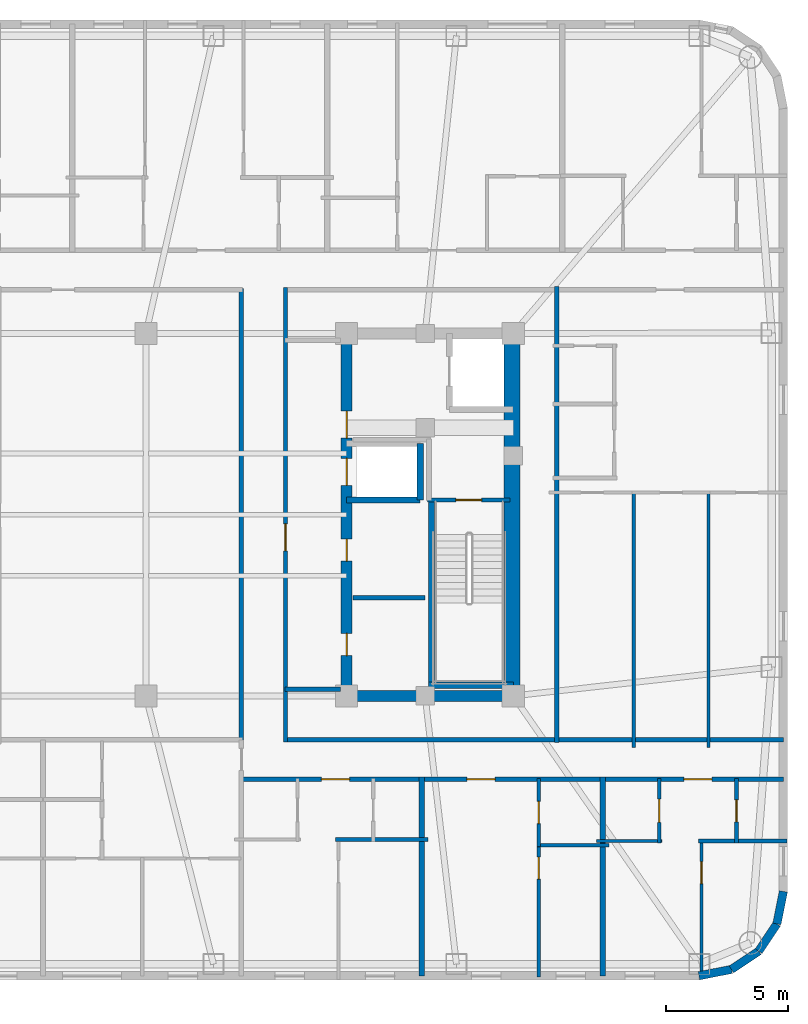
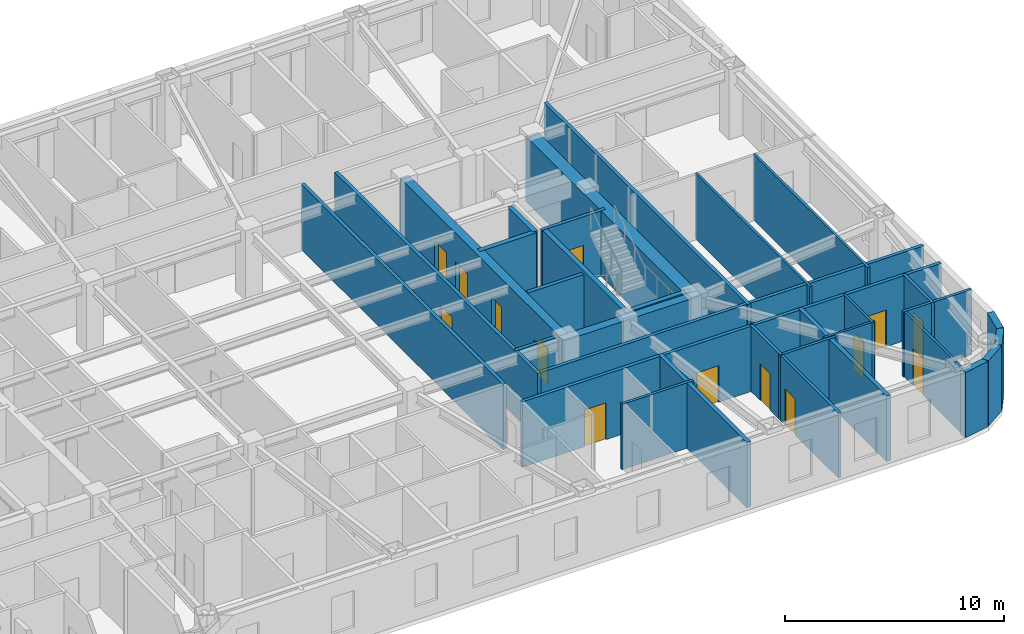
# One storey, part 6 of 11: 32 walls, 14 doors, 14 openings.
"""IFC4 building model written with IfcOpenShell, lengths in metres."""

from ifc_helpers import new_model, si_unit, direction, frame, frame_2d, origin, place, context, subcontext, project, spatial, rectangle, extrude, material, layer, layer_set, type_object, element, fill, save


model = new_model("IFC4")

# Units and contexts
model_context = context("Model", 3, precision=1e-05, world=origin(), true_north=direction((0.0, 1.0)))
body_context = subcontext(model_context, "Body", "Model", "MODEL_VIEW")
ifc_project = project(units=[si_unit("LENGTHUNIT", "METRE"), si_unit("AREAUNIT", "SQUARE_METRE"), si_unit("VOLUMEUNIT", "CUBIC_METRE"), si_unit("PLANEANGLEUNIT", "RADIAN"), si_unit("MASSUNIT", "GRAM", prefix="KILO")], contexts=[model_context])

# Site, building, storey
site_placement = place(None, origin())
site = spatial("IfcSite", under=ifc_project, at=site_placement, CompositionType="ELEMENT")
building_placement = place(site_placement, origin())
building = spatial("IfcBuilding", under=site, at=building_placement, Name="Voryun Gate Residences", CompositionType="ELEMENT")
storey_placement = place(building_placement, frame((0.0, 0.0, 215.800048828125)))
storey = spatial("IfcBuildingStorey", under=building, at=storey_placement, Name="L53", CompositionType="ELEMENT", Elevation=215.800048828125)

# Wall
ifc_material_1 = material(Name="Concrete C50/60", Category="concrete")
ifc_layer_1 = layer(ifc_material_1, 0.449951171875, Name="CW_CORE_450")
ifc_layer_set_1 = layer_set([ifc_layer_1], Name="Concrete C50/60")
wall_type_1 = type_object("IfcWallType", Name="CW_CORE_450", PredefinedType="SHEAR", material=ifc_layer_set_1)
wall_1_placement = place(storey_placement, frame((12.175048828125, -7.39990234375, 0.0), z_axis=(0.0, 0.0, 1.0), x_axis=(1.0, 0.0, 0.0)))
element("IfcWall", 1, at=wall_1_placement, inside=storey, type_object=wall_type_1, Name="L53 Core shear wall CW-L53-ES", PredefinedType="SHEAR", context=body_context, shape_type="SweptSolid", body=[
    extrude(rectangle(XDim=7.25, YDim=0.449951171875, at=frame_2d((3.625, 0.0))), origin(), (0.0, 0.0, 1.0), 3.64990234375),
])

# Wall, openings, doors
wall_2_placement = place(storey_placement, frame((12.39990234375, -7.39990234375, 0.0), z_axis=(0.0, 0.0, 1.0), x_axis=(0.0, 1.0, 0.0)))
wall_2 = element("IfcWall", 2, at=wall_2_placement, inside=storey, type_object=wall_type_1, Name="L53 Core shear wall CW-L53-EW", PredefinedType="SHEAR", context=body_context, shape_type="SweptSolid", body=[
    extrude(rectangle(XDim=14.7998046875, YDim=0.449951171875, at=frame_2d((7.39990234375, 0.0))), origin(), (0.0, 0.0, 1.0), 3.64990234375),
])
opening_1_placement = place(wall_2_placement, frame((8.60009765625, 0.0, 0.0)))
opening_1 = element("IfcOpeningElement", 3, at=opening_1_placement, cuts=wall_2, Name="Opening LD2", PredefinedType="OPENING", context=body_context, shape_type="SweptSolid", body=[
    extrude(rectangle(XDim=1.10009765625, YDim=2.050048828125, at=frame_2d((0.550048828125, 1.02490234375))), frame((0.0, 0.235107421875, 0.0), z_axis=(0.0, -1.0, 0.0), x_axis=(1.0, 0.0, 0.0)), (0.0, 0.0, 1.0), 0.469970703125),
])
opening_2_placement = place(wall_2_placement, frame((10.530029296875, 0.0, 0.0)))
opening_2 = element("IfcOpeningElement", 4, at=opening_2_placement, cuts=wall_2, Name="Opening D-FD60-2", PredefinedType="OPENING", context=body_context, shape_type="SweptSolid", body=[
    extrude(rectangle(XDim=1.10009765625, YDim=2.050048828125, at=frame_2d((0.550048828125, 1.02490234375))), frame((0.0, 0.235107421875, 0.0), z_axis=(0.0, -1.0, 0.0), x_axis=(1.0, 0.0, 0.0)), (0.0, 0.0, 1.0), 0.469970703125),
])
opening_3_placement = place(wall_2_placement, frame((1.64990234375, 0.0, 0.0)))
opening_3 = element("IfcOpeningElement", 5, at=opening_3_placement, cuts=wall_2, Name="Opening D-FD60-4", PredefinedType="OPENING", context=body_context, shape_type="SweptSolid", body=[
    extrude(rectangle(XDim=0.89990234375, YDim=2.050048828125, at=frame_2d((0.449951171875, 1.02490234375))), frame((0.0, 0.235107421875, 0.0), z_axis=(0.0, -1.0, 0.0), x_axis=(1.0, 0.0, 0.0)), (0.0, 0.0, 1.0), 0.469970703125),
])
opening_4_placement = place(wall_2_placement, frame((5.5, 0.0, 0.0)))
opening_4 = element("IfcOpeningElement", 6, at=opening_4_placement, cuts=wall_2, Name="Opening D-FD60-4", PredefinedType="OPENING", context=body_context, shape_type="SweptSolid", body=[
    extrude(rectangle(XDim=0.89990234375, YDim=2.050048828125, at=frame_2d((0.449951171875, 1.02490234375))), frame((0.0, 0.235107421875, 0.0), z_axis=(0.0, -1.0, 0.0), x_axis=(1.0, 0.0, 0.0)), (0.0, 0.0, 1.0), 0.469970703125),
])
ifc_material_2 = material(Name="Painted steel fire door", Category="steel")
door_type_1 = type_object("IfcDoorType", Name="DR_FD60_FFLOB_1100", OperationType="NOTDEFINED", PredefinedType="DOOR", material=ifc_material_2)
door_1_placement = place(opening_2_placement, origin())
door_1 = element("IfcDoor", 7, at=door_1_placement, inside=storey, type_object=door_type_1, Name="Door DR-L53-CLOB-E", OperationType="SINGLE_SWING_RIGHT", OverallHeight=2.050048828125, OverallWidth=1.10009765625, PredefinedType="DOOR", context=body_context, shape_type="SweptSolid", body=[
    extrude(rectangle(XDim=1.10009765625, YDim=2.050048828125, at=frame_2d((0.550048828125, 1.02490234375))), frame((0.0, 0.02490234375, 0.0), z_axis=(0.0, -1.0, 0.0), x_axis=(1.0, 0.0, 0.0)), (0.0, 0.0, 1.0), 0.050048828125),
])
fill(opening_2, door_1)
ifc_material_3 = material(Name="Painted steel fire door", Category="steel")
door_type_2 = type_object("IfcDoorType", Name="DR_FD60_RISER_900", OperationType="NOTDEFINED", PredefinedType="DOOR", material=ifc_material_3)
door_2_placement = place(opening_3_placement, origin())
door_2 = element("IfcDoor", 8, at=door_2_placement, inside=storey, type_object=door_type_2, Name="Door DR-L53-RECE-HIS", OperationType="SINGLE_SWING_RIGHT", OverallHeight=2.050048828125, OverallWidth=0.89990234375, PredefinedType="DOOR", context=body_context, shape_type="SweptSolid", body=[
    extrude(rectangle(XDim=0.89990234375, YDim=2.050048828125, at=frame_2d((0.449951171875, 1.02490234375))), frame((0.0, 0.02490234375, 0.0), z_axis=(0.0, -1.0, 0.0), x_axis=(1.0, 0.0, 0.0)), (0.0, 0.0, 1.0), 0.050048828125),
])
fill(opening_3, door_2)
door_3_placement = place(opening_4_placement, origin())
door_3 = element("IfcDoor", 9, at=door_3_placement, inside=storey, type_object=door_type_2, Name="Door DR-L53-RECE-HIN", OperationType="SINGLE_SWING_LEFT", OverallHeight=2.050048828125, OverallWidth=0.89990234375, PredefinedType="DOOR", context=body_context, shape_type="SweptSolid", body=[
    extrude(rectangle(XDim=0.89990234375, YDim=2.050048828125, at=frame_2d((0.449951171875, 1.02490234375))), frame((0.0, 0.02490234375, 0.0), z_axis=(0.0, -1.0, 0.0), x_axis=(1.0, 0.0, 0.0)), (0.0, 0.0, 1.0), 0.050048828125),
])
fill(opening_4, door_3)
ifc_material_4 = material(Name="Anodised aluminium", Category="aluminium")
door_type_3 = type_object("IfcDoorType", Name="DR_LD_PASS_1100", OperationType="NOTDEFINED", PredefinedType="DOOR", material=ifc_material_4)
door_4_placement = place(opening_1_placement, origin())
door_4 = element("IfcDoor", 10, at=door_4_placement, inside=storey, type_object=door_type_3, Name="Lift EL-P8 sliding landing door L53", OperationType="SLIDING_TO_LEFT", OverallHeight=2.050048828125, OverallWidth=1.10009765625, PredefinedType="DOOR", context=body_context, shape_type="SweptSolid", body=[
    extrude(rectangle(XDim=1.10009765625, YDim=2.050048828125, at=frame_2d((0.550048828125, 1.02490234375))), frame((0.0, 0.02490234375, 0.0), z_axis=(0.0, -1.0, 0.0), x_axis=(1.0, 0.0, 0.0)), (0.0, 0.0, 1.0), 0.050048828125),
])
fill(opening_1, door_4)

# Wall
ifc_material_5 = material(Name="Concrete C60/75", Category="concrete")
ifc_layer_2 = layer(ifc_material_5, 0.64990234375, Name="CW_CORE_650")
ifc_layer_set_2 = layer_set([ifc_layer_2], Name="Concrete C60/75")
wall_type_2 = type_object("IfcWallType", Name="CW_CORE_650", PredefinedType="SHEAR", material=ifc_layer_set_2)
wall_3_placement = place(storey_placement, frame((19.14501953125, -7.39990234375, 0.0), z_axis=(0.0, 0.0, 1.0), x_axis=(0.0, 1.0, 0.0)))
element("IfcWall", 11, at=wall_3_placement, inside=storey, type_object=wall_type_2, Name="L53 Core shear wall CW-L53-EE", PredefinedType="SHEAR", context=body_context, shape_type="SweptSolid", body=[
    extrude(rectangle(XDim=14.7998046875, YDim=0.64990234375, at=frame_2d((7.39990234375, 0.0))), origin(), (0.0, 0.0, 1.0), 3.64990234375),
])

# Wall, opening, door
ifc_material_6 = material(Name="Gypsum acoustic fireboard")
ifc_layer_3 = layer(ifc_material_6, 0.179931640625, Name="W_CORR_RATED_180")
ifc_layer_set_3 = layer_set([ifc_layer_3], Name="Gypsum acoustic fireboard")
wall_type_3 = type_object("IfcWallType", Name="W_CORR_RATED_180", PredefinedType="PARTITIONING", material=ifc_layer_set_3)
wall_4_placement = place(storey_placement, frame((15.699951171875, 0.60009765625, 0.0), z_axis=(0.0, 0.0, 1.0), x_axis=(1.0, 0.0, 0.0)))
wall_4 = element("IfcWall", 12, at=wall_4_placement, inside=storey, type_object=wall_type_3, Name="Partition wall WP-L53-STV-E", PredefinedType="PARTITIONING", context=body_context, shape_type="SweptSolid", body=[
    extrude(rectangle(XDim=3.360107421875, YDim=0.179931640625, at=frame_2d((1.68017578125, 0.0))), origin(), (0.0, 0.0, 1.0), 3.64990234375),
])
opening_5_placement = place(wall_4_placement, frame((1.155029296875, 0.0, 0.0)))
opening_5 = element("IfcOpeningElement", 13, at=opening_5_placement, cuts=wall_4, Name="Opening D-FD60-1", PredefinedType="OPENING", context=body_context, shape_type="SweptSolid", body=[
    extrude(rectangle(XDim=1.050048828125, YDim=2.050048828125, at=frame_2d((0.52490234375, 1.02490234375))), frame((0.0, 0.099853515625, 0.0), z_axis=(0.0, -1.0, 0.0), x_axis=(1.0, 0.0, 0.0)), (0.0, 0.0, 1.0), 0.199951171875),
])
ifc_material_7 = material(Name="Painted steel fire door", Category="steel")
door_type_4 = type_object("IfcDoorType", Name="DR_FD60_STAIR_1050", OperationType="NOTDEFINED", PredefinedType="DOOR", material=ifc_material_7)
door_5_placement = place(opening_5_placement, origin())
door_5 = element("IfcDoor", 14, at=door_5_placement, inside=storey, type_object=door_type_4, Name="Door DR-L53-ST-E", OperationType="SINGLE_SWING_RIGHT", OverallHeight=2.050048828125, OverallWidth=1.050048828125, PredefinedType="DOOR", context=body_context, shape_type="SweptSolid", body=[
    extrude(rectangle(XDim=1.050048828125, YDim=2.050048828125, at=frame_2d((0.52490234375, 1.02490234375))), frame((0.0, 0.02490234375, 0.0), z_axis=(0.0, -1.0, 0.0), x_axis=(1.0, 0.0, 0.0)), (0.0, 0.0, 1.0), 0.050048828125),
])
fill(opening_5, door_5)

# Wall
wall_5_placement = place(storey_placement, frame((9.8798828125, -7.1201171875, 0.0), z_axis=(0.0, 0.0, 1.0), x_axis=(1.0, 0.0, 0.0)))
element("IfcWall", 15, at=wall_5_placement, inside=storey, type_object=wall_type_3, Name="Partition wall WP-L53-PLBS-E", PredefinedType="PARTITIONING", context=body_context, shape_type="SweptSolid", body=[
    extrude(rectangle(XDim=2.27001953125, YDim=0.179931640625, at=frame_2d((1.135009765625, 0.0))), origin(), (0.0, 0.0, 1.0), 3.64990234375),
])

# Wall, opening, door
wall_6_placement = place(storey_placement, frame((9.89990234375, -9.280029296875, 0.0), z_axis=(0.0, 0.0, 1.0), x_axis=(0.0, 1.0, 0.0)))
wall_6 = element("IfcWall", 16, at=wall_6_placement, inside=storey, type_object=wall_type_3, Name="Partition wall WP-L53-PLBE-FULL", PredefinedType="PARTITIONING", context=body_context, shape_type="SweptSolid", body=[
    extrude(rectangle(XDim=18.56005859375, YDim=0.179931640625, at=frame_2d((9.280029296875, 0.0))), origin(), (0.0, 0.0, 1.0), 3.64990234375),
])
opening_6_placement = place(wall_6_placement, frame((7.802001953125, 0.0, 0.0)))
opening_6 = element("IfcOpeningElement", 17, at=opening_6_placement, cuts=wall_6, Name="Opening D-FD60-2", PredefinedType="OPENING", context=body_context, shape_type="SweptSolid", body=[
    extrude(rectangle(XDim=1.10009765625, YDim=2.050048828125, at=frame_2d((0.550048828125, 1.02490234375))), frame((0.0, 0.099853515625, 0.0), z_axis=(0.0, -1.0, 0.0), x_axis=(1.0, 0.0, 0.0)), (0.0, 0.0, 1.0), 0.199951171875),
])
door_6_placement = place(opening_6_placement, origin())
door_6 = element("IfcDoor", 18, at=door_6_placement, inside=storey, type_object=door_type_1, Name="Door DR-L53-PLBE-COR", OperationType="SINGLE_SWING_RIGHT", OverallHeight=2.050048828125, OverallWidth=1.10009765625, PredefinedType="DOOR", context=body_context, shape_type="SweptSolid", body=[
    extrude(rectangle(XDim=1.10009765625, YDim=2.050048828125, at=frame_2d((0.550048828125, 1.02490234375))), frame((0.0, 0.02490234375, 0.0), z_axis=(0.0, -1.0, 0.0), x_axis=(1.0, 0.0, 0.0)), (0.0, 0.0, 1.0), 0.050048828125),
])
fill(opening_6, door_6)

# Walls
wall_7_placement = place(storey_placement, frame((9.8798828125, -9.18994140625, 0.0), z_axis=(0.0, 0.0, 1.0), x_axis=(1.0, 0.0, 0.0)))
element("IfcWall", 19, at=wall_7_placement, inside=storey, type_object=wall_type_3, Name="Partition wall WP-L53-CWING-ES", PredefinedType="PARTITIONING", context=body_context, shape_type="SweptSolid", body=[
    extrude(rectangle(XDim=20.35009765625, YDim=0.179931640625, at=frame_2d((10.175048828125, 0.0))), origin(), (0.0, 0.0, 1.0), 3.64990234375),
])
wall_8_placement = place(storey_placement, frame((8.10009765625, -9.22998046875, 0.0), z_axis=(0.0, 0.0, 1.0), x_axis=(0.0, 1.0, 0.0)))
element("IfcWall", 20, at=wall_8_placement, inside=storey, type_object=wall_type_3, Name="Partition wall WP-L53-Z3E", PredefinedType="PARTITIONING", context=body_context, shape_type="SweptSolid", body=[
    extrude(rectangle(XDim=18.4599609375, YDim=0.179931640625, at=frame_2d((9.22998046875, 0.0))), origin(), (0.0, 0.0, 1.0), 3.64990234375),
])

# Wall, openings, doors
wall_9_placement = place(storey_placement, frame((8.080078125, -10.800048828125, 0.0), z_axis=(0.0, 0.0, 1.0), x_axis=(1.0, 0.0, 0.0)))
wall_9 = element("IfcWall", 21, at=wall_9_placement, inside=storey, type_object=wall_type_3, Name="Partition wall WP-L53-SCORR-E", PredefinedType="PARTITIONING", context=body_context, shape_type="SweptSolid", body=[
    extrude(rectangle(XDim=22.14990234375, YDim=0.179931640625, at=frame_2d((11.074951171875, 0.0))), origin(), (0.0, 0.0, 1.0), 3.64990234375),
])
opening_7_placement = place(wall_9_placement, frame((3.283447265625, 0.0, 0.0)))
opening_7 = element("IfcOpeningElement", 22, at=opening_7_placement, cuts=wall_9, Name="Opening D-UNIT-1", PredefinedType="OPENING", context=body_context, shape_type="SweptSolid", body=[
    extrude(rectangle(XDim=1.14990234375, YDim=2.050048828125, at=frame_2d((0.574951171875, 1.02490234375))), frame((0.0, 0.099853515625, 0.0), z_axis=(0.0, -1.0, 0.0), x_axis=(1.0, 0.0, 0.0)), (0.0, 0.0, 1.0), 0.199951171875),
])
opening_8_placement = place(wall_9_placement, frame((9.228515625, 0.0, 0.0)))
opening_8 = element("IfcOpeningElement", 23, at=opening_8_placement, cuts=wall_9, Name="Opening D-UNIT-1", PredefinedType="OPENING", context=body_context, shape_type="SweptSolid", body=[
    extrude(rectangle(XDim=1.14990234375, YDim=2.050048828125, at=frame_2d((0.574951171875, 1.02490234375))), frame((0.0, 0.099853515625, 0.0), z_axis=(0.0, -1.0, 0.0), x_axis=(1.0, 0.0, 0.0)), (0.0, 0.0, 1.0), 0.199951171875),
])
opening_9_placement = place(wall_9_placement, frame((18.084228515625, 0.0, 0.0)))
opening_9 = element("IfcOpeningElement", 24, at=opening_9_placement, cuts=wall_9, Name="Opening D-UNIT-1", PredefinedType="OPENING", context=body_context, shape_type="SweptSolid", body=[
    extrude(rectangle(XDim=1.14990234375, YDim=2.050048828125, at=frame_2d((0.574951171875, 1.02490234375))), frame((0.0, 0.099853515625, 0.0), z_axis=(0.0, -1.0, 0.0), x_axis=(1.0, 0.0, 0.0)), (0.0, 0.0, 1.0), 0.199951171875),
])
ifc_material_8 = material(Name="Armoured timber-clad fire door", Category="wood")
door_type_5 = type_object("IfcDoorType", Name="DR_UNIT_ENTRY_1150", OperationType="NOTDEFINED", PredefinedType="DOOR", material=ifc_material_8)
door_7_placement = place(opening_7_placement, origin())
door_7 = element("IfcDoor", 25, at=door_7_placement, inside=storey, type_object=door_type_5, Name="Door DR-L53-SENT-5", OperationType="SINGLE_SWING_RIGHT", OverallHeight=2.050048828125, OverallWidth=1.14990234375, PredefinedType="DOOR", context=body_context, shape_type="SweptSolid", body=[
    extrude(rectangle(XDim=1.14990234375, YDim=2.050048828125, at=frame_2d((0.574951171875, 1.02490234375))), frame((0.0, 0.02490234375, 0.0), z_axis=(0.0, -1.0, 0.0), x_axis=(1.0, 0.0, 0.0)), (0.0, 0.0, 1.0), 0.050048828125),
])
fill(opening_7, door_7)
door_8_placement = place(opening_8_placement, origin())
door_8 = element("IfcDoor", 26, at=door_8_placement, inside=storey, type_object=door_type_5, Name="Door DR-L53-SENT-6", OperationType="SINGLE_SWING_LEFT", OverallHeight=2.050048828125, OverallWidth=1.14990234375, PredefinedType="DOOR", context=body_context, shape_type="SweptSolid", body=[
    extrude(rectangle(XDim=1.14990234375, YDim=2.050048828125, at=frame_2d((0.574951171875, 1.02490234375))), frame((0.0, 0.02490234375, 0.0), z_axis=(0.0, -1.0, 0.0), x_axis=(1.0, 0.0, 0.0)), (0.0, 0.0, 1.0), 0.050048828125),
])
fill(opening_8, door_8)
door_9_placement = place(opening_9_placement, origin())
door_9 = element("IfcDoor", 27, at=door_9_placement, inside=storey, type_object=door_type_5, Name="Door DR-L53-SENT-7", OperationType="SINGLE_SWING_RIGHT", OverallHeight=2.050048828125, OverallWidth=1.14990234375, PredefinedType="DOOR", context=body_context, shape_type="SweptSolid", body=[
    extrude(rectangle(XDim=1.14990234375, YDim=2.050048828125, at=frame_2d((0.574951171875, 1.02490234375))), frame((0.0, 0.02490234375, 0.0), z_axis=(0.0, -1.0, 0.0), x_axis=(1.0, 0.0, 0.0)), (0.0, 0.0, 1.0), 0.050048828125),
])
fill(opening_9, door_9)

# Walls
wall_10_placement = place(storey_placement, frame((20.969970703125, -9.31005859375, 0.0), z_axis=(0.0, 0.0, 1.0), x_axis=(0.0, 1.0, 0.0)))
element("IfcWall", 28, at=wall_10_placement, inside=storey, type_object=wall_type_3, Name="Partition wall WP-L53-ECOR", PredefinedType="PARTITIONING", context=body_context, shape_type="SweptSolid", body=[
    extrude(rectangle(XDim=18.6201171875, YDim=0.179931640625, at=frame_2d((9.31005859375, 0.0))), origin(), (0.0, 0.0, 1.0), 3.64990234375),
])
ifc_material_9 = material(Name="Charcoal terracotta masonry", Category="masonry")
ifc_layer_4 = layer(ifc_material_9, 0.340087890625, Name="W_EXT_TERRACOTTA_340")
ifc_layer_set_4 = layer_set([ifc_layer_4], Name="Charcoal terracotta masonry")
wall_type_4 = type_object("IfcWallType", Name="W_EXT_TERRACOTTA_340", PredefinedType="ELEMENTEDWALL", material=ifc_layer_set_4)
wall_11_placement = place(storey_placement, frame((30.22998046875, -15.38330078125, 0.0), z_axis=(0.0, 0.0, 1.0), x_axis=(-0.195110379894, -0.98078129043, 0.0)))
element("IfcWall", 29, at=wall_11_placement, inside=storey, type_object=wall_type_4, Name="Exterior wall WEXT-L53-17", PredefinedType="ELEMENTEDWALL", context=body_context, shape_type="SweptSolid", body=[
    extrude(rectangle(XDim=1.35400390625, YDim=0.340087890625, at=frame_2d((0.677001953125, 0.0))), origin(), (0.0, 0.0, 1.0), 3.64990234375),
])
wall_12_placement = place(storey_placement, frame((29.9658203125, -16.711181640625, 0.0), z_axis=(0.0, 0.0, 1.0), x_axis=(-0.555584683399, -0.831459956686, 0.0)))
element("IfcWall", 30, at=wall_12_placement, inside=storey, type_object=wall_type_4, Name="Exterior wall WEXT-L53-18", PredefinedType="ELEMENTEDWALL", context=body_context, shape_type="SweptSolid", body=[
    extrude(rectangle(XDim=1.337158203125, YDim=0.340087890625, at=frame_2d((0.66845703125, 0.0))), origin(), (0.0, 0.0, 1.0), 3.64990234375),
])
wall_13_placement = place(storey_placement, frame((29.222900390625, -17.822998046875, 0.0), z_axis=(0.0, 0.0, 1.0), x_axis=(-0.831403586725, -0.555669034571, 0.0)))
element("IfcWall", 31, at=wall_13_placement, inside=storey, type_object=wall_type_4, Name="Exterior wall WEXT-L53-19", PredefinedType="ELEMENTEDWALL", context=body_context, shape_type="SweptSolid", body=[
    extrude(rectangle(XDim=1.3369140625, YDim=0.340087890625, at=frame_2d((0.66845703125, 0.0))), origin(), (0.0, 0.0, 1.0), 3.64990234375),
])
wall_14_placement = place(storey_placement, frame((28.111328125, -18.56591796875, 0.0), z_axis=(0.0, 0.0, 1.0), x_axis=(-0.980788153188, -0.195075878998, 0.0)))
element("IfcWall", 32, at=wall_14_placement, inside=storey, type_object=wall_type_4, Name="Exterior wall WEXT-L53-20", PredefinedType="ELEMENTEDWALL", context=body_context, shape_type="SweptSolid", body=[
    extrude(rectangle(XDim=1.354248046875, YDim=0.340087890625, at=frame_2d((0.67724609375, 0.0))), origin(), (0.0, 0.0, 1.0), 3.64990234375),
])
ifc_material_10 = material(Name="Concrete C40/50", Category="concrete")
ifc_layer_5 = layer(ifc_material_10, 0.199951171875, Name="W_FF_LOBBY_200")
ifc_layer_set_5 = layer_set([ifc_layer_5], Name="Concrete C40/50")
wall_type_5 = type_object("IfcWallType", Name="W_FF_LOBBY_200", PredefinedType="PARTITIONING", material=ifc_layer_set_5)
wall_15_placement = place(storey_placement, frame((12.659912109375, -3.389892578125, 0.0), z_axis=(0.0, 0.0, 1.0), x_axis=(1.0, 0.0, 0.0)))
element("IfcWall", 33, at=wall_15_placement, inside=storey, type_object=wall_type_5, Name="Partition wall WP-L53-RECEY-HI", PredefinedType="PARTITIONING", context=body_context, shape_type="SweptSolid", body=[
    extrude(rectangle(XDim=2.940185546875, YDim=0.199951171875, at=frame_2d((1.47021484375, 0.0))), origin(), (0.0, 0.0, 1.0), 3.64990234375),
])
ifc_material_11 = material(Name="Concrete C40/50", Category="concrete")
ifc_layer_6 = layer(ifc_material_11, 0.219970703125, Name="W_PARTY_ACOUSTIC_220")
ifc_layer_set_6 = layer_set([ifc_layer_6], Name="Concrete C40/50")
wall_type_6 = type_object("IfcWallType", Name="W_PARTY_ACOUSTIC_220", PredefinedType="PARTITIONING", material=ifc_layer_set_6)
for number, where, z_axis, x_axis, name in (
    (34, (15.466064453125, -18.830078125, 0.0), (0.0, 0.0, 1.0), (0.0, 1.0, 0.0), "Partition wall WP-L53-SPTY-5"),
    (35, (22.85107421875, -18.830078125, 0.0), (0.0, 0.0, 1.0), (0.0, 1.0, 0.0), "Partition wall WP-L53-SPTY-6"),
):
    element("IfcWall", number, at=place(storey_placement, frame(where, z_axis=z_axis, x_axis=x_axis)), inside=storey, type_object=wall_type_6, Name=name, PredefinedType="PARTITIONING", context=body_context, shape_type="SweptSolid", body=[
        extrude(rectangle(XDim=8.110107421875, YDim=0.219970703125, at=frame_2d((4.05517578125, 0.0))), origin(), (0.0, 0.0, 1.0), 3.64990234375),
    ])
ifc_material_12 = material(Name="Concrete C50/60", Category="concrete")
ifc_layer_7 = layer(ifc_material_12, 0.25, Name="W_SHAFT_RC250")
ifc_layer_set_7 = layer_set([ifc_layer_7], Name="Concrete C50/60")
wall_type_7 = type_object("IfcWallType", Name="W_SHAFT_RC250", PredefinedType="SOLIDWALL", material=ifc_layer_set_7)
wall_16_placement = place(storey_placement, frame((15.860107421875, -7.0849609375, 0.0), z_axis=(0.0, 0.0, 1.0), x_axis=(0.0, 1.0, 0.0)))
element("IfcWall", 36, at=wall_16_placement, inside=storey, type_object=wall_type_7, Name="L53 Stair shaft structural wall E-STL", PredefinedType="SOLIDWALL", context=body_context, shape_type="SweptSolid", body=[
    extrude(rectangle(XDim=7.68505859375, YDim=0.25, at=frame_2d((3.842529296875, 0.0))), origin(), (0.0, 0.0, 1.0), 3.64990234375),
])
wall_17_placement = place(storey_placement, frame((15.739990234375, -6.965087890625, 0.0), z_axis=(0.0, 0.0, 1.0), x_axis=(1.0, 0.0, 0.0)))
element("IfcWall", 37, at=wall_17_placement, inside=storey, type_object=wall_type_7, Name="L53 Stair shaft structural wall E-STS", PredefinedType="SOLIDWALL", context=body_context, shape_type="SweptSolid", body=[
    extrude(rectangle(XDim=3.4599609375, YDim=0.25, at=frame_2d((1.72998046875, 0.0))), origin(), (0.0, 0.0, 1.0), 3.64990234375),
])
wall_18_placement = place(storey_placement, frame((12.39990234375, 0.60009765625, 0.0), z_axis=(0.0, 0.0, 1.0), x_axis=(1.0, 0.0, 0.0)))
element("IfcWall", 38, at=wall_18_placement, inside=storey, type_object=wall_type_7, Name="Lift shaft wall WSH-L53-EL-P8-S", PredefinedType="SOLIDWALL", context=body_context, shape_type="SweptSolid", body=[
    extrude(rectangle(XDim=3.0, YDim=0.25, at=frame_2d((1.5, 0.0))), origin(), (0.0, 0.0, 1.0), 3.64990234375),
])
wall_19_placement = place(storey_placement, frame((15.39990234375, 0.60009765625, 0.0), z_axis=(0.0, 0.0, 1.0), x_axis=(0.0, 1.0, 0.0)))
element("IfcWall", 39, at=wall_19_placement, inside=storey, type_object=wall_type_7, Name="Lift shaft wall WSH-L53-EL-P8-E", PredefinedType="SOLIDWALL", context=body_context, shape_type="SweptSolid", body=[
    extrude(rectangle(XDim=2.2998046875, YDim=0.25, at=frame_2d((1.14990234375, 0.0))), origin(), (0.0, 0.0, 1.0), 3.64990234375),
])

# Wall, opening, door
ifc_material_13 = material(Name="Gypsum acoustic partition")
ifc_layer_8 = layer(ifc_material_13, 0.125, Name="W_UNIT_PART_125")
ifc_layer_set_8 = layer_set([ifc_layer_8], Name="Gypsum acoustic partition")
wall_type_8 = type_object("IfcWallType", Name="W_UNIT_PART_125", PredefinedType="PARTITIONING", material=ifc_layer_set_8)
wall_20_placement = place(storey_placement, frame((26.886962890625, -18.96240234375, 0.0), z_axis=(0.0, 0.0, 1.0), x_axis=(0.0, 1.0, 0.0)))
wall_20 = element("IfcWall", 40, at=wall_20_placement, inside=storey, type_object=wall_type_8, Name="Partition wall WP-L53-S7-OVR", PredefinedType="PARTITIONING", context=body_context, shape_type="SweptSolid", body=[
    extrude(rectangle(XDim=5.71728515625, YDim=0.125, at=frame_2d((2.858642578125, 0.0))), origin(), (0.0, 0.0, 1.0), 3.64990234375),
])
opening_10_placement = place(wall_20_placement, frame((3.89501953125, 0.0, 0.0)))
opening_10 = element("IfcOpeningElement", 41, at=opening_10_placement, cuts=wall_20, Name="Opening D-INT-2", PredefinedType="OPENING", context=body_context, shape_type="SweptSolid", body=[
    extrude(rectangle(XDim=0.89990234375, YDim=2.050048828125, at=frame_2d((0.449951171875, 1.02490234375))), frame((0.0, 0.072509765625, 0.0), z_axis=(0.0, -1.0, 0.0), x_axis=(1.0, 0.0, 0.0)), (0.0, 0.0, 1.0), 0.14501953125),
])
ifc_material_14 = material(Name="Architectural oak veneer")
door_type_6 = type_object("IfcDoorType", Name="DR_INT_BATH_900", OperationType="NOTDEFINED", PredefinedType="DOOR", material=ifc_material_14)
door_10_placement = place(opening_10_placement, origin())
door_10 = element("IfcDoor", 42, at=door_10_placement, inside=storey, type_object=door_type_6, Name="Door DR-L53-S7-DMB", OperationType="SINGLE_SWING_RIGHT", OverallHeight=2.050048828125, OverallWidth=0.89990234375, PredefinedType="DOOR", context=body_context, shape_type="SweptSolid", body=[
    extrude(rectangle(XDim=0.89990234375, YDim=2.050048828125, at=frame_2d((0.449951171875, 1.02490234375))), frame((0.0, 0.02490234375, 0.0), z_axis=(0.0, -1.0, 0.0), x_axis=(1.0, 0.0, 0.0)), (0.0, 0.0, 1.0), 0.050048828125),
])
fill(opening_10, door_10)

wall_21_placement = place(storey_placement, frame((25.160888671875, -13.405029296875, 0.0), z_axis=(0.0, 0.0, 1.0), x_axis=(0.0, 1.0, 0.0)))
wall_21 = element("IfcWall", 43, at=wall_21_placement, inside=storey, type_object=wall_type_8, Name="Partition wall WP-L53-S7-IVK", PredefinedType="PARTITIONING", context=body_context, shape_type="SweptSolid", body=[
    extrude(rectangle(XDim=2.625, YDim=0.125, at=frame_2d((1.3125, 0.0))), origin(), (0.0, 0.0, 1.0), 3.64990234375),
])
opening_11_placement = place(wall_21_placement, frame((0.83740234375, 0.0, 0.0)))
opening_11 = element("IfcOpeningElement", 44, at=opening_11_placement, cuts=wall_21, Name="Opening D-INT-1", PredefinedType="OPENING", context=body_context, shape_type="SweptSolid", body=[
    extrude(rectangle(XDim=0.949951171875, YDim=2.050048828125, at=frame_2d((0.47509765625, 1.02490234375))), frame((0.0, 0.072509765625, 0.0), z_axis=(0.0, -1.0, 0.0), x_axis=(1.0, 0.0, 0.0)), (0.0, 0.0, 1.0), 0.14501953125),
])
ifc_material_15 = material(Name="Architectural oak veneer")
door_type_7 = type_object("IfcDoorType", Name="DR_INT_ROOM_950", OperationType="NOTDEFINED", PredefinedType="DOOR", material=ifc_material_15)
door_11_placement = place(opening_11_placement, origin())
door_11 = element("IfcDoor", 45, at=door_11_placement, inside=storey, type_object=door_type_7, Name="Door DR-L53-S7-DK", OperationType="SINGLE_SWING_LEFT", OverallHeight=2.050048828125, OverallWidth=0.949951171875, PredefinedType="DOOR", context=body_context, shape_type="SweptSolid", body=[
    extrude(rectangle(XDim=0.949951171875, YDim=2.050048828125, at=frame_2d((0.47509765625, 1.02490234375))), frame((0.0, 0.02490234375, 0.0), z_axis=(0.0, -1.0, 0.0), x_axis=(1.0, 0.0, 0.0)), (0.0, 0.0, 1.0), 0.050048828125),
])
fill(opening_11, door_11)

# Walls
wall_22_placement = place(storey_placement, frame((22.591064453125, -13.324951171875, 0.0), z_axis=(0.0, 0.0, 1.0), x_axis=(1.0, 0.0, 0.0)))
element("IfcWall", 46, at=wall_22_placement, inside=storey, type_object=wall_type_8, Name="Partition wall WP-L53-S7-HZK", PredefinedType="PARTITIONING", context=body_context, shape_type="SweptSolid", body=[
    extrude(rectangle(XDim=2.68994140625, YDim=0.125, at=frame_2d((1.344970703125, 0.0))), origin(), (0.0, 0.0, 1.0), 3.64990234375),
])
for number, where, z_axis, x_axis, name in (
    (47, (27.178955078125, -9.510009765625, 0.0), (0.0, 0.0, 1.0), (0.0, 1.0, 0.0), "Partition wall WP-L53-E1-VMB2"),
    (48, (24.12109375, -9.510009765625, 0.0), (0.0, 0.0, 1.0), (0.0, 1.0, 0.0), "Partition wall WP-L53-E1-VMB"),
):
    element("IfcWall", number, at=place(storey_placement, frame(where, z_axis=z_axis, x_axis=x_axis)), inside=storey, type_object=wall_type_8, Name=name, PredefinedType="PARTITIONING", context=body_context, shape_type="SweptSolid", body=[
        extrude(rectangle(XDim=10.47998046875, YDim=0.125, at=frame_2d((5.239990234375, 0.0))), origin(), (0.0, 0.0, 1.0), 3.64990234375),
    ])
ifc_material_16 = material(Name="Gypsum moisture-resistant partition")
ifc_layer_9 = layer(ifc_material_16, 0.14990234375, Name="W_WET_PLUMB_150")
ifc_layer_set_9 = layer_set([ifc_layer_9], Name="Gypsum moisture-resistant partition")
wall_type_9 = type_object("IfcWallType", Name="W_WET_PLUMB_150", PredefinedType="PLUMBINGWALL", material=ifc_layer_set_9)
wall_23_placement = place(storey_placement, frame((11.93603515625, -13.264892578125, 0.0), z_axis=(0.0, 0.0, 1.0), x_axis=(1.0, 0.0, 0.0)))
element("IfcWall", 49, at=wall_23_placement, inside=storey, type_object=wall_type_9, Name="Partition wall WP-L53-S5-HZB", PredefinedType="PLUMBINGWALL", context=body_context, shape_type="SweptSolid", body=[
    extrude(rectangle(XDim=3.7900390625, YDim=0.14990234375, at=frame_2d((1.89501953125, 0.0))), origin(), (0.0, 0.0, 1.0), 3.64990234375),
])
wall_24_placement = place(storey_placement, frame((20.160888671875, -13.5, 0.0), z_axis=(0.0, 0.0, 1.0), x_axis=(1.0, 0.0, 0.0)))
element("IfcWall", 50, at=wall_24_placement, inside=storey, type_object=wall_type_9, Name="Partition wall WP-L53-S6-SKB", PredefinedType="PLUMBINGWALL", context=body_context, shape_type="SweptSolid", body=[
    extrude(rectangle(XDim=2.9501953125, YDim=0.14990234375, at=frame_2d((1.47509765625, 0.0))), origin(), (0.0, 0.0, 1.0), 3.64990234375),
])

# Wall, opening, door
wall_25_placement = place(storey_placement, frame((20.240966796875, -18.876708984375, 0.0), z_axis=(0.0, 0.0, 1.0), x_axis=(0.0, 1.0, 0.0)))
wall_25 = element("IfcWall", 51, at=wall_25_placement, inside=storey, type_object=wall_type_9, Name="Partition wall WP-L53-S6-SVT1", PredefinedType="PLUMBINGWALL", context=body_context, shape_type="SweptSolid", body=[
    extrude(rectangle(XDim=5.416748046875, YDim=0.14990234375, at=frame_2d((2.70849609375, 0.0))), origin(), (0.0, 0.0, 1.0), 3.64990234375),
])
opening_12_placement = place(wall_25_placement, frame((3.99169921875, 0.0, 0.0)))
opening_12 = element("IfcOpeningElement", 52, at=opening_12_placement, cuts=wall_25, Name="Opening D-INT-2", PredefinedType="OPENING", context=body_context, shape_type="SweptSolid", body=[
    extrude(rectangle(XDim=0.89990234375, YDim=2.050048828125, at=frame_2d((0.449951171875, 1.02490234375))), frame((0.0, 0.0849609375, 0.0), z_axis=(0.0, -1.0, 0.0), x_axis=(1.0, 0.0, 0.0)), (0.0, 0.0, 1.0), 0.169921875),
])
door_12_placement = place(opening_12_placement, origin())
door_12 = element("IfcDoor", 53, at=door_12_placement, inside=storey, type_object=door_type_6, Name="Door DR-L53-S6-DK", OperationType="SINGLE_SWING_LEFT", OverallHeight=2.050048828125, OverallWidth=0.89990234375, PredefinedType="DOOR", context=body_context, shape_type="SweptSolid", body=[
    extrude(rectangle(XDim=0.89990234375, YDim=2.050048828125, at=frame_2d((0.449951171875, 1.02490234375))), frame((0.0, 0.02490234375, 0.0), z_axis=(0.0, -1.0, 0.0), x_axis=(1.0, 0.0, 0.0)), (0.0, 0.0, 1.0), 0.050048828125),
])
fill(opening_12, door_12)

wall_26_placement = place(storey_placement, frame((20.240966796875, -13.5400390625, 0.0), z_axis=(0.0, 0.0, 1.0), x_axis=(0.0, 1.0, 0.0)))
wall_26 = element("IfcWall", 54, at=wall_26_placement, inside=storey, type_object=wall_type_9, Name="Partition wall WP-L53-S6-SVT2", PredefinedType="PLUMBINGWALL", context=body_context, shape_type="SweptSolid", body=[
    extrude(rectangle(XDim=2.760009765625, YDim=0.14990234375, at=frame_2d((1.3798828125, 0.0))), origin(), (0.0, 0.0, 1.0), 3.64990234375),
])
opening_13_placement = place(wall_26_placement, frame((0.929931640625, 0.0, 0.0)))
opening_13 = element("IfcOpeningElement", 55, at=opening_13_placement, cuts=wall_26, Name="Opening D-INT-2", PredefinedType="OPENING", context=body_context, shape_type="SweptSolid", body=[
    extrude(rectangle(XDim=0.89990234375, YDim=2.050048828125, at=frame_2d((0.449951171875, 1.02490234375))), frame((0.0, 0.0849609375, 0.0), z_axis=(0.0, -1.0, 0.0), x_axis=(1.0, 0.0, 0.0)), (0.0, 0.0, 1.0), 0.169921875),
])
door_13_placement = place(opening_13_placement, origin())
door_13 = element("IfcDoor", 56, at=door_13_placement, inside=storey, type_object=door_type_6, Name="Door DR-L53-S6-DB", OperationType="SINGLE_SWING_RIGHT", OverallHeight=2.050048828125, OverallWidth=0.89990234375, PredefinedType="DOOR", context=body_context, shape_type="SweptSolid", body=[
    extrude(rectangle(XDim=0.89990234375, YDim=2.050048828125, at=frame_2d((0.449951171875, 1.02490234375))), frame((0.0, 0.02490234375, 0.0), z_axis=(0.0, -1.0, 0.0), x_axis=(1.0, 0.0, 0.0)), (0.0, 0.0, 1.0), 0.050048828125),
])
fill(opening_13, door_13)

# Wall
wall_27_placement = place(storey_placement, frame((26.76708984375, -13.324951171875, 0.0), z_axis=(0.0, 0.0, 1.0), x_axis=(1.0, 0.0, 0.0)))
element("IfcWall", 57, at=wall_27_placement, inside=storey, type_object=wall_type_9, Name="Partition wall WP-L53-S7-HZB", PredefinedType="PLUMBINGWALL", context=body_context, shape_type="SweptSolid", body=[
    extrude(rectangle(XDim=3.61279296875, YDim=0.14990234375, at=frame_2d((1.806396484375, 0.0))), origin(), (0.0, 0.0, 1.0), 3.64990234375),
])

# Wall, opening, door
wall_28_placement = place(storey_placement, frame((28.31689453125, -13.405029296875, 0.0), z_axis=(0.0, 0.0, 1.0), x_axis=(0.0, 1.0, 0.0)))
wall_28 = element("IfcWall", 58, at=wall_28_placement, inside=storey, type_object=wall_type_9, Name="Partition wall WP-L53-S7-IVB", PredefinedType="PLUMBINGWALL", context=body_context, shape_type="SweptSolid", body=[
    extrude(rectangle(XDim=2.625, YDim=0.14990234375, at=frame_2d((1.3125, 0.0))), origin(), (0.0, 0.0, 1.0), 3.64990234375),
])
opening_14_placement = place(wall_28_placement, frame((0.862548828125, 0.0, 0.0)))
opening_14 = element("IfcOpeningElement", 59, at=opening_14_placement, cuts=wall_28, Name="Opening D-INT-2", PredefinedType="OPENING", context=body_context, shape_type="SweptSolid", body=[
    extrude(rectangle(XDim=0.89990234375, YDim=2.050048828125, at=frame_2d((0.449951171875, 1.02490234375))), frame((0.0, 0.0849609375, 0.0), z_axis=(0.0, -1.0, 0.0), x_axis=(1.0, 0.0, 0.0)), (0.0, 0.0, 1.0), 0.169921875),
])
door_14_placement = place(opening_14_placement, origin())
door_14 = element("IfcDoor", 60, at=door_14_placement, inside=storey, type_object=door_type_6, Name="Door DR-L53-S7-DB", OperationType="SINGLE_SWING_RIGHT", OverallHeight=2.050048828125, OverallWidth=0.89990234375, PredefinedType="DOOR", context=body_context, shape_type="SweptSolid", body=[
    extrude(rectangle(XDim=0.89990234375, YDim=2.050048828125, at=frame_2d((0.449951171875, 1.02490234375))), frame((0.0, 0.02490234375, 0.0), z_axis=(0.0, -1.0, 0.0), x_axis=(1.0, 0.0, 0.0)), (0.0, 0.0, 1.0), 0.050048828125),
])
fill(opening_14, door_14)

save(model, "model.ifc")
